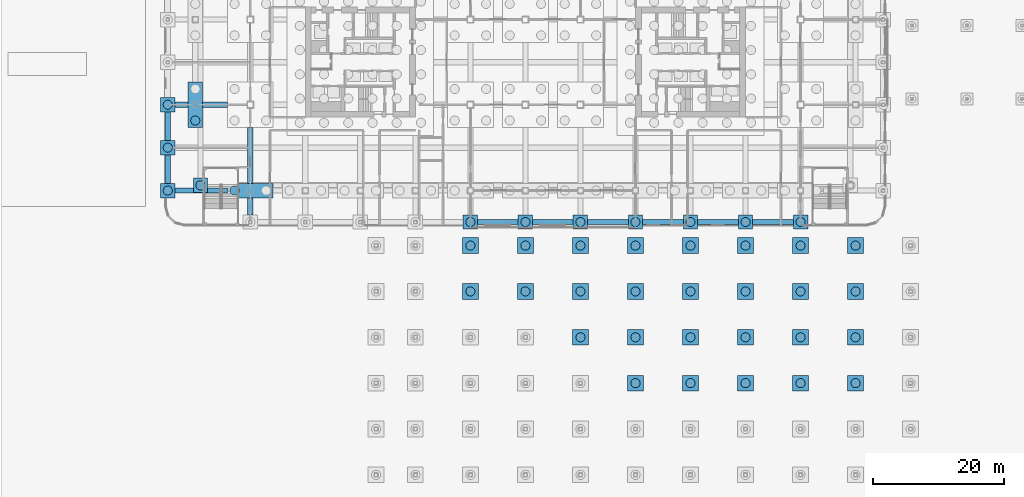
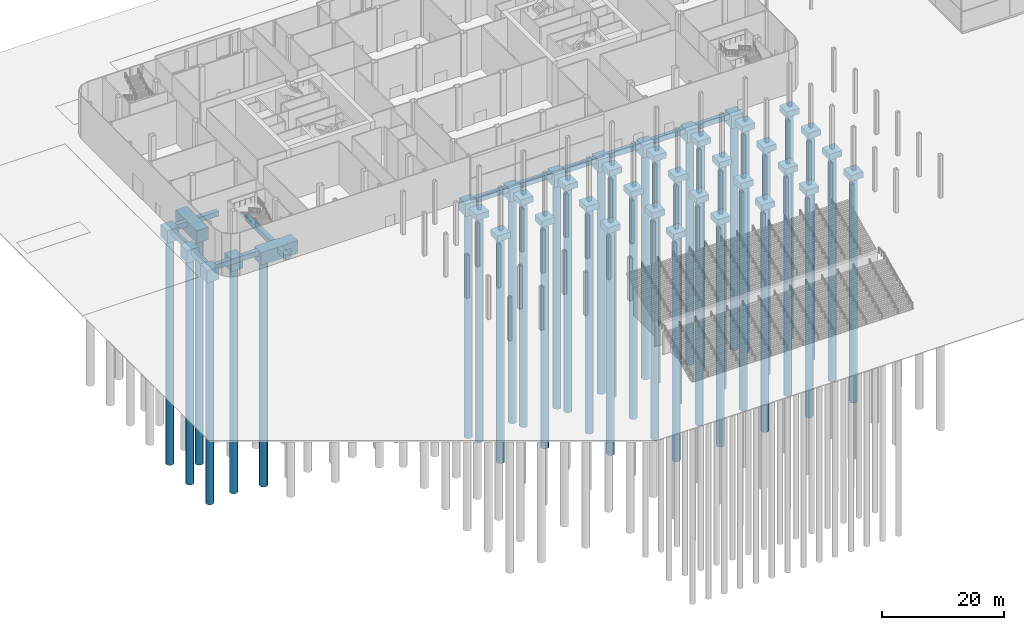
# One storey, part 2 of 113: 53 footings, 40 piles.
"""IFC4 building model written with IfcOpenShell, lengths in metres."""

from ifc_helpers import new_model, si_unit, direction, frame, origin, origin_2d, place, context, subcontext, project, spatial, polyline, circle, outline, extrude, material, layer, layer_set, material_profile, profile_set, type_object, element, save


model = new_model("IFC4")

# Units and contexts
model_context = context("Model", 3, precision=1e-05, world=origin(), true_north=direction((0.0, 1.0)))
body_context = subcontext(model_context, "Body", "Model", "MODEL_VIEW")
ifc_project = project(units=[si_unit("LENGTHUNIT", "METRE"), si_unit("AREAUNIT", "SQUARE_METRE"), si_unit("VOLUMEUNIT", "CUBIC_METRE"), si_unit("PLANEANGLEUNIT", "RADIAN"), si_unit("MASSUNIT", "GRAM", prefix="KILO")], contexts=[model_context])

# Site, building, storey
site_placement = place(None, origin())
site = spatial("IfcSite", under=ifc_project, at=site_placement, CompositionType="ELEMENT")
building_placement = place(site_placement, origin())
building = spatial("IfcBuilding", under=site, at=building_placement, Name="Hakoniwa Tower and Hamabe Station Hall", CompositionType="ELEMENT")
storey_placement = place(building_placement, origin())
storey = spatial("IfcBuildingStorey", under=building, at=storey_placement, Name="L01", CompositionType="ELEMENT", Elevation=0.0)

# Piles
ifc_material_1 = material(Name="Concrete C36", Category="concrete")
ifc_material_profile_1 = material_profile(ifc_material_1, circle(Radius=0.699951171875, at=origin_2d()), Name="BORED PILE D1400")
ifc_profile_set_1 = profile_set([ifc_material_profile_1], Name="Concrete C36")
pile_type_1 = type_object("IfcPileType", Name="BORED PILE D1400", PredefinedType="BORED", material=ifc_profile_set_1)
for number, where, z_axis, x_axis, name in (
    (1, (-49.60302734375, -18.802978515625, -2.800048828125), (0.0, 0.0, -1.0), (1.0, 0.0, 0.0), "Pile P-1-A1 1"),
    (2, (-50.39990234375, -8.89990234375, -2.800048828125), (0.0, 0.0, -1.0), (1.0, 0.0, 0.0), "Pile P-1-C1 1-1"),
    (3, (-44.39990234375, -19.60009765625, -2.800048828125), (0.0, 0.0, -1.0), (1.0, 0.0, 0.0), "Pile P-2-A1 1"),
    (4, (-8.39990234375, -24.39990234375, -2.800048828125), (0.0, 0.0, -1.0), (1.0, 0.0, 0.0), "Pile P-6-RS 1"),
    (5, (0.0, -24.39990234375, -2.800048828125), (0.0, 0.0, -1.0), (1.0, 0.0, 0.0), "Pile P-7-RS 1"),
    (6, (8.39990234375, -24.39990234375, -2.800048828125), (0.0, 0.0, -1.0), (1.0, 0.0, 0.0), "Pile P-8-RS 1"),
    (7, (16.800048828125, -24.39990234375, -2.800048828125), (0.0, 0.0, -1.0), (1.0, 0.0, 0.0), "Pile P-9-RS 1"),
    (8, (25.199951171875, -24.39990234375, -2.800048828125), (0.0, 0.0, -1.0), (1.0, 0.0, 0.0), "Pile P-10-RS 1"),
    (9, (33.60009765625, -24.39990234375, -2.800048828125), (0.0, 0.0, -1.0), (1.0, 0.0, 0.0), "Pile P-11-RS 1"),
    (10, (42.0, -24.39990234375, -2.800048828125), (0.0, 0.0, -1.0), (1.0, 0.0, 0.0), "Pile P-12-RS 1"),
    (11, (-54.60009765625, -19.60009765625, -2.800048828125), (0.0, 0.0, -1.0), (1.0, 0.0, 0.0), "Pile P-RW-A1 1"),
    (12, (-54.60009765625, -13.050048828125, -2.800048828125), (0.0, 0.0, -1.0), (1.0, 0.0, 0.0), "Pile P-RW-B1 1"),
    (13, (-54.60009765625, -6.5, -2.800048828125), (0.0, 0.0, -1.0), (1.0, 0.0, 0.0), "Pile P-RW-C1 1"),
):
    element("IfcPile", number, at=place(storey_placement, frame(where, z_axis=z_axis, x_axis=x_axis)), inside=storey, type_object=pile_type_1, Name=name, PredefinedType="BORED", context=body_context, shape_type="SweptSolid", body=[
        extrude(circle(Radius=0.699951171875, at=origin_2d()), origin(), (0.0, 0.0, 1.0), 45.0),
    ])
ifc_material_2 = material(Name="Concrete C36", Category="concrete")
ifc_material_profile_2 = material_profile(ifc_material_2, circle(Radius=0.699951171875, at=origin_2d()), Name="DECK BORED PILE D1400")
ifc_profile_set_2 = profile_set([ifc_material_profile_2], Name="Concrete C36")
pile_type_2 = type_object("IfcPileType", Name="DECK BORED PILE D1400", PredefinedType="BORED", material=ifc_profile_set_2)
for number, where, z_axis, x_axis, name in (
    (14, (-8.39990234375, -35.0, -1.35009765625), (0.0, 0.0, -1.0), (1.0, 0.0, 0.0), "Pile 17"),
    (15, (-8.39990234375, -28.0, -1.35009765625), (0.0, 0.0, -1.0), (1.0, 0.0, 0.0), "Pile 18"),
    (16, (0.0, -35.0, -1.35009765625), (0.0, 0.0, -1.0), (1.0, 0.0, 0.0), "Pile 23"),
    (17, (0.0, -28.0, -1.35009765625), (0.0, 0.0, -1.0), (1.0, 0.0, 0.0), "Pile 24"),
    (18, (8.39990234375, -42.0, -1.35009765625), (0.0, 0.0, -1.0), (1.0, 0.0, 0.0), "Pile 28"),
    (19, (8.39990234375, -35.0, -1.35009765625), (0.0, 0.0, -1.0), (1.0, 0.0, 0.0), "Pile 29"),
    (20, (8.39990234375, -28.0, -1.35009765625), (0.0, 0.0, -1.0), (1.0, 0.0, 0.0), "Pile 30"),
    (21, (16.800048828125, -49.0, -1.35009765625), (0.0, 0.0, -1.0), (1.0, 0.0, 0.0), "Pile 33"),
    (22, (16.800048828125, -42.0, -1.35009765625), (0.0, 0.0, -1.0), (1.0, 0.0, 0.0), "Pile 34"),
    (23, (16.800048828125, -35.0, -1.35009765625), (0.0, 0.0, -1.0), (1.0, 0.0, 0.0), "Pile 35"),
    (24, (16.800048828125, -28.0, -1.35009765625), (0.0, 0.0, -1.0), (1.0, 0.0, 0.0), "Pile 36"),
    (25, (25.199951171875, -49.0, -1.35009765625), (0.0, 0.0, -1.0), (1.0, 0.0, 0.0), "Pile 39"),
    (26, (25.199951171875, -42.0, -1.35009765625), (0.0, 0.0, -1.0), (1.0, 0.0, 0.0), "Pile 40"),
    (27, (25.199951171875, -35.0, -1.35009765625), (0.0, 0.0, -1.0), (1.0, 0.0, 0.0), "Pile 41"),
    (28, (25.199951171875, -28.0, -1.35009765625), (0.0, 0.0, -1.0), (1.0, 0.0, 0.0), "Pile 42"),
    (29, (33.60009765625, -49.0, -1.35009765625), (0.0, 0.0, -1.0), (1.0, 0.0, 0.0), "Pile 45"),
    (30, (33.60009765625, -42.0, -1.35009765625), (0.0, 0.0, -1.0), (1.0, 0.0, 0.0), "Pile 46"),
    (31, (33.60009765625, -35.0, -1.35009765625), (0.0, 0.0, -1.0), (1.0, 0.0, 0.0), "Pile 47"),
    (32, (33.60009765625, -28.0, -1.35009765625), (0.0, 0.0, -1.0), (1.0, 0.0, 0.0), "Pile 48"),
    (33, (42.0, -49.0, -1.35009765625), (0.0, 0.0, -1.0), (1.0, 0.0, 0.0), "Pile 51"),
    (34, (42.0, -42.0, -1.35009765625), (0.0, 0.0, -1.0), (1.0, 0.0, 0.0), "Pile 52"),
    (35, (42.0, -35.0, -1.35009765625), (0.0, 0.0, -1.0), (1.0, 0.0, 0.0), "Pile 53"),
    (36, (42.0, -28.0, -1.35009765625), (0.0, 0.0, -1.0), (1.0, 0.0, 0.0), "Pile 54"),
    (37, (50.39990234375, -49.0, -1.35009765625), (0.0, 0.0, -1.0), (1.0, 0.0, 0.0), "Pile 57"),
    (38, (50.39990234375, -42.0, -1.35009765625), (0.0, 0.0, -1.0), (1.0, 0.0, 0.0), "Pile 58"),
    (39, (50.39990234375, -35.0, -1.35009765625), (0.0, 0.0, -1.0), (1.0, 0.0, 0.0), "Pile 59"),
    (40, (50.39990234375, -28.0, -1.35009765625), (0.0, 0.0, -1.0), (1.0, 0.0, 0.0), "Pile 60"),
):
    element("IfcPile", number, at=place(storey_placement, frame(where, z_axis=z_axis, x_axis=x_axis)), inside=storey, type_object=pile_type_2, Name=name, PredefinedType="BORED", context=body_context, shape_type="SweptSolid", body=[
        extrude(circle(Radius=0.699951171875, at=origin_2d()), origin(), (0.0, 0.0, 1.0), 45.0),
    ])

# Footings
ifc_material_3 = material(Name="Concrete C36", Category="concrete")
ifc_layer_1 = layer(ifc_material_3, 1.199951171875)
ifc_layer_set_1 = layer_set([ifc_layer_1], Name="DECK PILE CAP 2400X2400X1200")
footing_type_1 = type_object("IfcFootingType", Name="DECK PILE CAP 2400X2400X1200", PredefinedType="PILE_CAP", material=ifc_layer_set_1)
footing_1_placement = place(storey_placement, frame((0.0, 0.0, -1.35009765625)))
element("IfcFooting", 41, at=footing_1_placement, inside=storey, type_object=footing_type_1, Name="Pile cap 17", PredefinedType="PILE_CAP", context=body_context, shape_type="SweptSolid", body=[
    extrude(outline(polyline([(-9.60009765625, -36.199951171875), (-7.199951171875, -36.199951171875), (-7.199951171875, -33.800048828125), (-9.60009765625, -33.800048828125), (-9.60009765625, -36.199951171875)])), origin(), (0.0, 0.0, 1.0), 1.2001953125),
])
footing_2_placement = place(storey_placement, frame((0.0, 0.0, -1.35009765625)))
element("IfcFooting", 42, at=footing_2_placement, inside=storey, type_object=footing_type_1, Name="Pile cap 18", PredefinedType="PILE_CAP", context=body_context, shape_type="SweptSolid", body=[
    extrude(outline(polyline([(-9.60009765625, -29.199951171875), (-7.199951171875, -29.199951171875), (-7.199951171875, -26.800048828125), (-9.60009765625, -26.800048828125), (-9.60009765625, -29.199951171875)])), origin(), (0.0, 0.0, 1.0), 1.2001953125),
])
footing_3_placement = place(storey_placement, frame((0.0, 0.0, -1.35009765625)))
element("IfcFooting", 43, at=footing_3_placement, inside=storey, type_object=footing_type_1, Name="Pile cap 23", PredefinedType="PILE_CAP", context=body_context, shape_type="SweptSolid", body=[
    extrude(outline(polyline([(-1.199951171875, -36.199951171875), (1.199951171875, -36.199951171875), (1.199951171875, -33.800048828125), (-1.199951171875, -33.800048828125), (-1.199951171875, -36.199951171875)])), origin(), (0.0, 0.0, 1.0), 1.2001953125),
])
footing_4_placement = place(storey_placement, frame((0.0, 0.0, -1.35009765625)))
element("IfcFooting", 44, at=footing_4_placement, inside=storey, type_object=footing_type_1, Name="Pile cap 24", PredefinedType="PILE_CAP", context=body_context, shape_type="SweptSolid", body=[
    extrude(outline(polyline([(-1.199951171875, -29.199951171875), (1.199951171875, -29.199951171875), (1.199951171875, -26.800048828125), (-1.199951171875, -26.800048828125), (-1.199951171875, -29.199951171875)])), origin(), (0.0, 0.0, 1.0), 1.2001953125),
])
footing_5_placement = place(storey_placement, frame((0.0, 0.0, -1.35009765625)))
element("IfcFooting", 45, at=footing_5_placement, inside=storey, type_object=footing_type_1, Name="Pile cap 28", PredefinedType="PILE_CAP", context=body_context, shape_type="SweptSolid", body=[
    extrude(outline(polyline([(7.199951171875, -43.199951171875), (9.60009765625, -43.199951171875), (9.60009765625, -40.800048828125), (7.199951171875, -40.800048828125), (7.199951171875, -43.199951171875)])), origin(), (0.0, 0.0, 1.0), 1.2001953125),
])
footing_6_placement = place(storey_placement, frame((0.0, 0.0, -1.35009765625)))
element("IfcFooting", 46, at=footing_6_placement, inside=storey, type_object=footing_type_1, Name="Pile cap 29", PredefinedType="PILE_CAP", context=body_context, shape_type="SweptSolid", body=[
    extrude(outline(polyline([(7.199951171875, -36.199951171875), (9.60009765625, -36.199951171875), (9.60009765625, -33.800048828125), (7.199951171875, -33.800048828125), (7.199951171875, -36.199951171875)])), origin(), (0.0, 0.0, 1.0), 1.2001953125),
])
footing_7_placement = place(storey_placement, frame((0.0, 0.0, -1.35009765625)))
element("IfcFooting", 47, at=footing_7_placement, inside=storey, type_object=footing_type_1, Name="Pile cap 30", PredefinedType="PILE_CAP", context=body_context, shape_type="SweptSolid", body=[
    extrude(outline(polyline([(7.199951171875, -29.199951171875), (9.60009765625, -29.199951171875), (9.60009765625, -26.800048828125), (7.199951171875, -26.800048828125), (7.199951171875, -29.199951171875)])), origin(), (0.0, 0.0, 1.0), 1.2001953125),
])
footing_8_placement = place(storey_placement, frame((0.0, 0.0, -1.35009765625)))
element("IfcFooting", 48, at=footing_8_placement, inside=storey, type_object=footing_type_1, Name="Pile cap 33", PredefinedType="PILE_CAP", context=body_context, shape_type="SweptSolid", body=[
    extrude(outline(polyline([(15.60009765625, -50.199951171875), (18.0, -50.199951171875), (18.0, -47.800048828125), (15.60009765625, -47.800048828125), (15.60009765625, -50.199951171875)])), origin(), (0.0, 0.0, 1.0), 1.2001953125),
])
footing_9_placement = place(storey_placement, frame((0.0, 0.0, -1.35009765625)))
element("IfcFooting", 49, at=footing_9_placement, inside=storey, type_object=footing_type_1, Name="Pile cap 34", PredefinedType="PILE_CAP", context=body_context, shape_type="SweptSolid", body=[
    extrude(outline(polyline([(15.60009765625, -43.199951171875), (18.0, -43.199951171875), (18.0, -40.800048828125), (15.60009765625, -40.800048828125), (15.60009765625, -43.199951171875)])), origin(), (0.0, 0.0, 1.0), 1.2001953125),
])
footing_10_placement = place(storey_placement, frame((0.0, 0.0, -1.35009765625)))
element("IfcFooting", 50, at=footing_10_placement, inside=storey, type_object=footing_type_1, Name="Pile cap 35", PredefinedType="PILE_CAP", context=body_context, shape_type="SweptSolid", body=[
    extrude(outline(polyline([(15.60009765625, -36.199951171875), (18.0, -36.199951171875), (18.0, -33.800048828125), (15.60009765625, -33.800048828125), (15.60009765625, -36.199951171875)])), origin(), (0.0, 0.0, 1.0), 1.2001953125),
])
footing_11_placement = place(storey_placement, frame((0.0, 0.0, -1.35009765625)))
element("IfcFooting", 51, at=footing_11_placement, inside=storey, type_object=footing_type_1, Name="Pile cap 36", PredefinedType="PILE_CAP", context=body_context, shape_type="SweptSolid", body=[
    extrude(outline(polyline([(15.60009765625, -29.199951171875), (18.0, -29.199951171875), (18.0, -26.800048828125), (15.60009765625, -26.800048828125), (15.60009765625, -29.199951171875)])), origin(), (0.0, 0.0, 1.0), 1.2001953125),
])
footing_12_placement = place(storey_placement, frame((0.0, 0.0, -1.35009765625)))
element("IfcFooting", 52, at=footing_12_placement, inside=storey, type_object=footing_type_1, Name="Pile cap 39", PredefinedType="PILE_CAP", context=body_context, shape_type="SweptSolid", body=[
    extrude(outline(polyline([(24.0, -50.199951171875), (26.39990234375, -50.199951171875), (26.39990234375, -47.800048828125), (24.0, -47.800048828125), (24.0, -50.199951171875)])), origin(), (0.0, 0.0, 1.0), 1.2001953125),
])
footing_13_placement = place(storey_placement, frame((0.0, 0.0, -1.35009765625)))
element("IfcFooting", 53, at=footing_13_placement, inside=storey, type_object=footing_type_1, Name="Pile cap 40", PredefinedType="PILE_CAP", context=body_context, shape_type="SweptSolid", body=[
    extrude(outline(polyline([(24.0, -43.199951171875), (26.39990234375, -43.199951171875), (26.39990234375, -40.800048828125), (24.0, -40.800048828125), (24.0, -43.199951171875)])), origin(), (0.0, 0.0, 1.0), 1.2001953125),
])
footing_14_placement = place(storey_placement, frame((0.0, 0.0, -1.35009765625)))
element("IfcFooting", 54, at=footing_14_placement, inside=storey, type_object=footing_type_1, Name="Pile cap 41", PredefinedType="PILE_CAP", context=body_context, shape_type="SweptSolid", body=[
    extrude(outline(polyline([(24.0, -36.199951171875), (26.39990234375, -36.199951171875), (26.39990234375, -33.800048828125), (24.0, -33.800048828125), (24.0, -36.199951171875)])), origin(), (0.0, 0.0, 1.0), 1.2001953125),
])
footing_15_placement = place(storey_placement, frame((0.0, 0.0, -1.35009765625)))
element("IfcFooting", 55, at=footing_15_placement, inside=storey, type_object=footing_type_1, Name="Pile cap 42", PredefinedType="PILE_CAP", context=body_context, shape_type="SweptSolid", body=[
    extrude(outline(polyline([(24.0, -29.199951171875), (26.39990234375, -29.199951171875), (26.39990234375, -26.800048828125), (24.0, -26.800048828125), (24.0, -29.199951171875)])), origin(), (0.0, 0.0, 1.0), 1.2001953125),
])
footing_16_placement = place(storey_placement, frame((0.0, 0.0, -1.35009765625)))
element("IfcFooting", 56, at=footing_16_placement, inside=storey, type_object=footing_type_1, Name="Pile cap 45", PredefinedType="PILE_CAP", context=body_context, shape_type="SweptSolid", body=[
    extrude(outline(polyline([(32.39990234375, -50.199951171875), (34.800048828125, -50.199951171875), (34.800048828125, -47.800048828125), (32.39990234375, -47.800048828125), (32.39990234375, -50.199951171875)])), origin(), (0.0, 0.0, 1.0), 1.2001953125),
])
footing_17_placement = place(storey_placement, frame((0.0, 0.0, -1.35009765625)))
element("IfcFooting", 57, at=footing_17_placement, inside=storey, type_object=footing_type_1, Name="Pile cap 46", PredefinedType="PILE_CAP", context=body_context, shape_type="SweptSolid", body=[
    extrude(outline(polyline([(32.39990234375, -43.199951171875), (34.800048828125, -43.199951171875), (34.800048828125, -40.800048828125), (32.39990234375, -40.800048828125), (32.39990234375, -43.199951171875)])), origin(), (0.0, 0.0, 1.0), 1.2001953125),
])
footing_18_placement = place(storey_placement, frame((0.0, 0.0, -1.35009765625)))
element("IfcFooting", 58, at=footing_18_placement, inside=storey, type_object=footing_type_1, Name="Pile cap 47", PredefinedType="PILE_CAP", context=body_context, shape_type="SweptSolid", body=[
    extrude(outline(polyline([(32.39990234375, -36.199951171875), (34.800048828125, -36.199951171875), (34.800048828125, -33.800048828125), (32.39990234375, -33.800048828125), (32.39990234375, -36.199951171875)])), origin(), (0.0, 0.0, 1.0), 1.2001953125),
])
footing_19_placement = place(storey_placement, frame((0.0, 0.0, -1.35009765625)))
element("IfcFooting", 59, at=footing_19_placement, inside=storey, type_object=footing_type_1, Name="Pile cap 48", PredefinedType="PILE_CAP", context=body_context, shape_type="SweptSolid", body=[
    extrude(outline(polyline([(32.39990234375, -29.199951171875), (34.800048828125, -29.199951171875), (34.800048828125, -26.800048828125), (32.39990234375, -26.800048828125), (32.39990234375, -29.199951171875)])), origin(), (0.0, 0.0, 1.0), 1.2001953125),
])
footing_20_placement = place(storey_placement, frame((0.0, 0.0, -1.35009765625)))
element("IfcFooting", 60, at=footing_20_placement, inside=storey, type_object=footing_type_1, Name="Pile cap 51", PredefinedType="PILE_CAP", context=body_context, shape_type="SweptSolid", body=[
    extrude(outline(polyline([(40.800048828125, -50.199951171875), (43.199951171875, -50.199951171875), (43.199951171875, -47.800048828125), (40.800048828125, -47.800048828125), (40.800048828125, -50.199951171875)])), origin(), (0.0, 0.0, 1.0), 1.2001953125),
])
footing_21_placement = place(storey_placement, frame((0.0, 0.0, -1.35009765625)))
element("IfcFooting", 61, at=footing_21_placement, inside=storey, type_object=footing_type_1, Name="Pile cap 52", PredefinedType="PILE_CAP", context=body_context, shape_type="SweptSolid", body=[
    extrude(outline(polyline([(40.800048828125, -43.199951171875), (43.199951171875, -43.199951171875), (43.199951171875, -40.800048828125), (40.800048828125, -40.800048828125), (40.800048828125, -43.199951171875)])), origin(), (0.0, 0.0, 1.0), 1.2001953125),
])
footing_22_placement = place(storey_placement, frame((0.0, 0.0, -1.35009765625)))
element("IfcFooting", 62, at=footing_22_placement, inside=storey, type_object=footing_type_1, Name="Pile cap 53", PredefinedType="PILE_CAP", context=body_context, shape_type="SweptSolid", body=[
    extrude(outline(polyline([(40.800048828125, -36.199951171875), (43.199951171875, -36.199951171875), (43.199951171875, -33.800048828125), (40.800048828125, -33.800048828125), (40.800048828125, -36.199951171875)])), origin(), (0.0, 0.0, 1.0), 1.2001953125),
])
footing_23_placement = place(storey_placement, frame((0.0, 0.0, -1.35009765625)))
element("IfcFooting", 63, at=footing_23_placement, inside=storey, type_object=footing_type_1, Name="Pile cap 54", PredefinedType="PILE_CAP", context=body_context, shape_type="SweptSolid", body=[
    extrude(outline(polyline([(40.800048828125, -29.199951171875), (43.199951171875, -29.199951171875), (43.199951171875, -26.800048828125), (40.800048828125, -26.800048828125), (40.800048828125, -29.199951171875)])), origin(), (0.0, 0.0, 1.0), 1.2001953125),
])
footing_24_placement = place(storey_placement, frame((0.0, 0.0, -1.35009765625)))
element("IfcFooting", 64, at=footing_24_placement, inside=storey, type_object=footing_type_1, Name="Pile cap 57", PredefinedType="PILE_CAP", context=body_context, shape_type="SweptSolid", body=[
    extrude(outline(polyline([(49.199951171875, -50.199951171875), (51.60009765625, -50.199951171875), (51.60009765625, -47.800048828125), (49.199951171875, -47.800048828125), (49.199951171875, -50.199951171875)])), origin(), (0.0, 0.0, 1.0), 1.2001953125),
])
footing_25_placement = place(storey_placement, frame((0.0, 0.0, -1.35009765625)))
element("IfcFooting", 65, at=footing_25_placement, inside=storey, type_object=footing_type_1, Name="Pile cap 58", PredefinedType="PILE_CAP", context=body_context, shape_type="SweptSolid", body=[
    extrude(outline(polyline([(49.199951171875, -43.199951171875), (51.60009765625, -43.199951171875), (51.60009765625, -40.800048828125), (49.199951171875, -40.800048828125), (49.199951171875, -43.199951171875)])), origin(), (0.0, 0.0, 1.0), 1.2001953125),
])
footing_26_placement = place(storey_placement, frame((0.0, 0.0, -1.35009765625)))
element("IfcFooting", 66, at=footing_26_placement, inside=storey, type_object=footing_type_1, Name="Pile cap 59", PredefinedType="PILE_CAP", context=body_context, shape_type="SweptSolid", body=[
    extrude(outline(polyline([(49.199951171875, -36.199951171875), (51.60009765625, -36.199951171875), (51.60009765625, -33.800048828125), (49.199951171875, -33.800048828125), (49.199951171875, -36.199951171875)])), origin(), (0.0, 0.0, 1.0), 1.2001953125),
])
footing_27_placement = place(storey_placement, frame((0.0, 0.0, -1.35009765625)))
element("IfcFooting", 67, at=footing_27_placement, inside=storey, type_object=footing_type_1, Name="Pile cap 60", PredefinedType="PILE_CAP", context=body_context, shape_type="SweptSolid", body=[
    extrude(outline(polyline([(49.199951171875, -29.199951171875), (51.60009765625, -29.199951171875), (51.60009765625, -26.800048828125), (49.199951171875, -26.800048828125), (49.199951171875, -29.199951171875)])), origin(), (0.0, 0.0, 1.0), 1.2001953125),
])
ifc_material_4 = material(Name="Concrete C36", Category="concrete")
ifc_layer_2 = layer(ifc_material_4, 1.0)
ifc_layer_set_2 = layer_set([ifc_layer_2], Name="GROUND TIE BEAM")
footing_type_2 = type_object("IfcFootingType", Name="GROUND TIE BEAM", PredefinedType="FOOTING_BEAM", material=ifc_layer_set_2)
footing_28_placement = place(storey_placement, frame((0.0, 0.0, -1.300048828125)))
element("IfcFooting", 68, at=footing_28_placement, inside=storey, type_object=footing_type_2, Name="Ground tie P-6-RS to P-7-RS", PredefinedType="FOOTING_BEAM", context=body_context, shape_type="SweptSolid", body=[
    extrude(outline(polyline([(-7.300048828125, -24.0), (-7.300048828125, -24.800048828125), (-1.10009765625, -24.800048828125), (-1.10009765625, -24.0), (-7.300048828125, -24.0)])), origin(), (0.0, 0.0, 1.0), 1.0),
])
footing_29_placement = place(storey_placement, frame((0.0, 0.0, -1.300048828125)))
element("IfcFooting", 69, at=footing_29_placement, inside=storey, type_object=footing_type_2, Name="Ground tie P-7-RS to P-8-RS", PredefinedType="FOOTING_BEAM", context=body_context, shape_type="SweptSolid", body=[
    extrude(outline(polyline([(1.10009765625, -24.0), (1.10009765625, -24.800048828125), (7.300048828125, -24.800048828125), (7.300048828125, -24.0), (1.10009765625, -24.0)])), origin(), (0.0, 0.0, 1.0), 1.0),
])
footing_30_placement = place(storey_placement, frame((0.0, 0.0, -1.300048828125)))
element("IfcFooting", 70, at=footing_30_placement, inside=storey, type_object=footing_type_2, Name="Ground tie P-8-RS to P-9-RS", PredefinedType="FOOTING_BEAM", context=body_context, shape_type="SweptSolid", body=[
    extrude(outline(polyline([(9.5, -24.0), (9.5, -24.800048828125), (15.699951171875, -24.800048828125), (15.699951171875, -24.0), (9.5, -24.0)])), origin(), (0.0, 0.0, 1.0), 1.0),
])
footing_31_placement = place(storey_placement, frame((0.0, 0.0, -1.300048828125)))
element("IfcFooting", 71, at=footing_31_placement, inside=storey, type_object=footing_type_2, Name="Ground tie P-9-RS to P-10-RS", PredefinedType="FOOTING_BEAM", context=body_context, shape_type="SweptSolid", body=[
    extrude(outline(polyline([(17.89990234375, -24.0), (17.89990234375, -24.800048828125), (24.10009765625, -24.800048828125), (24.10009765625, -24.0), (17.89990234375, -24.0)])), origin(), (0.0, 0.0, 1.0), 1.0),
])
footing_32_placement = place(storey_placement, frame((0.0, 0.0, -1.300048828125)))
element("IfcFooting", 72, at=footing_32_placement, inside=storey, type_object=footing_type_2, Name="Ground tie P-10-RS to P-11-RS", PredefinedType="FOOTING_BEAM", context=body_context, shape_type="SweptSolid", body=[
    extrude(outline(polyline([(26.300048828125, -24.0), (26.300048828125, -24.800048828125), (32.5, -24.800048828125), (32.5, -24.0), (26.300048828125, -24.0)])), origin(), (0.0, 0.0, 1.0), 1.0),
])
footing_33_placement = place(storey_placement, frame((0.0, 0.0, -1.300048828125)))
element("IfcFooting", 73, at=footing_33_placement, inside=storey, type_object=footing_type_2, Name="Ground tie P-11-RS to P-12-RS", PredefinedType="FOOTING_BEAM", context=body_context, shape_type="SweptSolid", body=[
    extrude(outline(polyline([(34.699951171875, -24.0), (34.699951171875, -24.800048828125), (40.89990234375, -24.800048828125), (40.89990234375, -24.0), (34.699951171875, -24.0)])), origin(), (0.0, 0.0, 1.0), 1.0),
])
footing_34_placement = place(storey_placement, frame((0.0, 0.0, -1.300048828125)))
element("IfcFooting", 74, at=footing_34_placement, inside=storey, type_object=footing_type_2, Name="Ground tie P-RW-A1 to P-2-A1", PredefinedType="FOOTING_BEAM", context=body_context, shape_type="SweptSolid", body=[
    extrude(outline(polyline([(-48.503173828125, -19.199951171875), (-48.503173828125, -19.903076171875), (-50.703125, -19.903076171875), (-50.703125, -19.199951171875), (-53.5, -19.199951171875), (-53.5, -20.0), (-45.5, -20.0), (-45.5, -19.199951171875), (-48.503173828125, -19.199951171875)])), origin(), (0.0, 0.0, 1.0), 1.0),
])
footing_35_placement = place(storey_placement, frame((0.0, 0.0, -1.300048828125)))
element("IfcFooting", 75, at=footing_35_placement, inside=storey, type_object=footing_type_2, Name="Ground tie P-RW-C1 to P-1-C1", PredefinedType="FOOTING_BEAM", context=body_context, shape_type="SweptSolid", body=[
    extrude(outline(polyline([(-53.5, -6.10009765625), (-53.5, -6.89990234375), (-51.5, -6.89990234375), (-51.5, -6.10009765625), (-53.5, -6.10009765625)])), origin(), (0.0, 0.0, 1.0), 1.0),
])
footing_36_placement = place(storey_placement, frame((0.0, 0.0, -1.300048828125)))
element("IfcFooting", 76, at=footing_36_placement, inside=storey, type_object=footing_type_2, Name="Ground tie P-1-C1 to P-2-C1", PredefinedType="FOOTING_BEAM", context=body_context, shape_type="SweptSolid", body=[
    extrude(outline(polyline([(-49.300048828125, -6.10009765625), (-49.300048828125, -6.89990234375), (-45.5, -6.89990234375), (-45.5, -6.10009765625), (-49.300048828125, -6.10009765625)])), origin(), (0.0, 0.0, 1.0), 1.0),
])
footing_37_placement = place(storey_placement, frame((0.0, 0.0, -1.300048828125)))
element("IfcFooting", 77, at=footing_37_placement, inside=storey, type_object=footing_type_2, Name="Ground tie P-RW-A1 to P-RW-B1 1", PredefinedType="FOOTING_BEAM", context=body_context, shape_type="SweptSolid", body=[
    extrude(outline(polyline([(-55.0, -14.14990234375), (-55.0, -18.5), (-54.199951171875, -18.5), (-54.199951171875, -14.14990234375), (-55.0, -14.14990234375)])), origin(), (0.0, 0.0, 1.0), 1.0),
])
footing_38_placement = place(storey_placement, frame((0.0, 0.0, -1.300048828125)))
element("IfcFooting", 78, at=footing_38_placement, inside=storey, type_object=footing_type_2, Name="Ground tie P-RW-B1 to P-RW-C1 1", PredefinedType="FOOTING_BEAM", context=body_context, shape_type="SweptSolid", body=[
    extrude(outline(polyline([(-55.0, -7.60009765625), (-55.0, -11.949951171875), (-54.199951171875, -11.949951171875), (-54.199951171875, -7.60009765625), (-55.0, -7.60009765625)])), origin(), (0.0, 0.0, 1.0), 1.0),
])
footing_39_placement = place(storey_placement, frame((0.0, 0.0, -1.300048828125)))
element("IfcFooting", 79, at=footing_39_placement, inside=storey, type_object=footing_type_2, Name="Ground tie P-2-RS to P-2-A1 1", PredefinedType="FOOTING_BEAM", context=body_context, shape_type="SweptSolid", body=[
    extrude(outline(polyline([(-42.39990234375, -20.699951171875), (-42.39990234375, -23.300048828125), (-41.60009765625, -23.300048828125), (-41.60009765625, -20.699951171875), (-42.39990234375, -20.699951171875)])), origin(), (0.0, 0.0, 1.0), 1.0),
])
footing_40_placement = place(storey_placement, frame((0.0, 0.0, -1.300048828125)))
element("IfcFooting", 80, at=footing_40_placement, inside=storey, type_object=footing_type_2, Name="Ground tie P-2-A1 to P-2-C1 1", PredefinedType="FOOTING_BEAM", context=body_context, shape_type="SweptSolid", body=[
    extrude(outline(polyline([(-42.39990234375, -10.0), (-42.39990234375, -18.5), (-41.60009765625, -18.5), (-41.60009765625, -10.0), (-42.39990234375, -10.0)])), origin(), (0.0, 0.0, 1.0), 1.0),
])
ifc_material_5 = material(Name="Concrete C36", Category="concrete")
ifc_layer_3 = layer(ifc_material_5, 2.5)
ifc_layer_set_3 = layer_set([ifc_layer_3], Name="PILE CAP 1 PILE")
footing_type_3 = type_object("IfcFootingType", Name="PILE CAP 1 PILE", PredefinedType="PILE_CAP", material=ifc_layer_set_3)
footing_41_placement = place(storey_placement, frame((0.0, 0.0, -2.800048828125)))
element("IfcFooting", 81, at=footing_41_placement, inside=storey, type_object=footing_type_3, Name="Pile cap P-1-A1", PredefinedType="PILE_CAP", context=body_context, shape_type="SweptSolid", body=[
    extrude(outline(polyline([(-48.503173828125, -19.903076171875), (-48.503173828125, -17.703125), (-50.703125, -17.703125), (-50.703125, -19.903076171875), (-48.503173828125, -19.903076171875)])), origin(), (0.0, 0.0, 1.0), 2.5),
])
footing_42_placement = place(storey_placement, frame((0.0, 0.0, -2.800048828125)))
element("IfcFooting", 82, at=footing_42_placement, inside=storey, type_object=footing_type_3, Name="Pile cap P-6-RS", PredefinedType="PILE_CAP", context=body_context, shape_type="SweptSolid", body=[
    extrude(outline(polyline([(-7.300048828125, -25.5), (-7.300048828125, -23.300048828125), (-9.5, -23.300048828125), (-9.5, -25.5), (-7.300048828125, -25.5)])), origin(), (0.0, 0.0, 1.0), 2.5),
])
footing_43_placement = place(storey_placement, frame((0.0, 0.0, -2.800048828125)))
element("IfcFooting", 83, at=footing_43_placement, inside=storey, type_object=footing_type_3, Name="Pile cap P-7-RS", PredefinedType="PILE_CAP", context=body_context, shape_type="SweptSolid", body=[
    extrude(outline(polyline([(1.10009765625, -25.5), (1.10009765625, -23.300048828125), (-1.10009765625, -23.300048828125), (-1.10009765625, -25.5), (1.10009765625, -25.5)])), origin(), (0.0, 0.0, 1.0), 2.5),
])
footing_44_placement = place(storey_placement, frame((0.0, 0.0, -2.800048828125)))
element("IfcFooting", 84, at=footing_44_placement, inside=storey, type_object=footing_type_3, Name="Pile cap P-8-RS", PredefinedType="PILE_CAP", context=body_context, shape_type="SweptSolid", body=[
    extrude(outline(polyline([(9.5, -25.5), (9.5, -23.300048828125), (7.300048828125, -23.300048828125), (7.300048828125, -25.5), (9.5, -25.5)])), origin(), (0.0, 0.0, 1.0), 2.5),
])
footing_45_placement = place(storey_placement, frame((0.0, 0.0, -2.800048828125)))
element("IfcFooting", 85, at=footing_45_placement, inside=storey, type_object=footing_type_3, Name="Pile cap P-9-RS", PredefinedType="PILE_CAP", context=body_context, shape_type="SweptSolid", body=[
    extrude(outline(polyline([(17.89990234375, -25.5), (17.89990234375, -23.300048828125), (15.699951171875, -23.300048828125), (15.699951171875, -25.5), (17.89990234375, -25.5)])), origin(), (0.0, 0.0, 1.0), 2.5),
])
footing_46_placement = place(storey_placement, frame((0.0, 0.0, -2.800048828125)))
element("IfcFooting", 86, at=footing_46_placement, inside=storey, type_object=footing_type_3, Name="Pile cap P-10-RS", PredefinedType="PILE_CAP", context=body_context, shape_type="SweptSolid", body=[
    extrude(outline(polyline([(26.300048828125, -25.5), (26.300048828125, -23.300048828125), (24.10009765625, -23.300048828125), (24.10009765625, -25.5), (26.300048828125, -25.5)])), origin(), (0.0, 0.0, 1.0), 2.5),
])
footing_47_placement = place(storey_placement, frame((0.0, 0.0, -2.800048828125)))
element("IfcFooting", 87, at=footing_47_placement, inside=storey, type_object=footing_type_3, Name="Pile cap P-11-RS", PredefinedType="PILE_CAP", context=body_context, shape_type="SweptSolid", body=[
    extrude(outline(polyline([(34.699951171875, -25.5), (34.699951171875, -23.300048828125), (32.5, -23.300048828125), (32.5, -25.5), (34.699951171875, -25.5)])), origin(), (0.0, 0.0, 1.0), 2.5),
])
footing_48_placement = place(storey_placement, frame((0.0, 0.0, -2.800048828125)))
element("IfcFooting", 88, at=footing_48_placement, inside=storey, type_object=footing_type_3, Name="Pile cap P-12-RS", PredefinedType="PILE_CAP", context=body_context, shape_type="SweptSolid", body=[
    extrude(outline(polyline([(43.10009765625, -25.5), (43.10009765625, -23.300048828125), (40.89990234375, -23.300048828125), (40.89990234375, -25.5), (43.10009765625, -25.5)])), origin(), (0.0, 0.0, 1.0), 2.5),
])
footing_49_placement = place(storey_placement, frame((0.0, 0.0, -2.800048828125)))
element("IfcFooting", 89, at=footing_49_placement, inside=storey, type_object=footing_type_3, Name="Pile cap P-RW-A1", PredefinedType="PILE_CAP", context=body_context, shape_type="SweptSolid", body=[
    extrude(outline(polyline([(-53.5, -20.699951171875), (-53.5, -18.5), (-55.699951171875, -18.5), (-55.699951171875, -20.699951171875), (-53.5, -20.699951171875)])), origin(), (0.0, 0.0, 1.0), 2.5),
])
footing_50_placement = place(storey_placement, frame((0.0, 0.0, -2.800048828125)))
element("IfcFooting", 90, at=footing_50_placement, inside=storey, type_object=footing_type_3, Name="Pile cap P-RW-B1", PredefinedType="PILE_CAP", context=body_context, shape_type="SweptSolid", body=[
    extrude(outline(polyline([(-53.5, -14.14990234375), (-53.5, -11.949951171875), (-55.699951171875, -11.949951171875), (-55.699951171875, -14.14990234375), (-53.5, -14.14990234375)])), origin(), (0.0, 0.0, 1.0), 2.5),
])
footing_51_placement = place(storey_placement, frame((0.0, 0.0, -2.800048828125)))
element("IfcFooting", 91, at=footing_51_placement, inside=storey, type_object=footing_type_3, Name="Pile cap P-RW-C1", PredefinedType="PILE_CAP", context=body_context, shape_type="SweptSolid", body=[
    extrude(outline(polyline([(-53.5, -7.60009765625), (-53.5, -5.39990234375), (-55.699951171875, -5.39990234375), (-55.699951171875, -7.60009765625), (-53.5, -7.60009765625)])), origin(), (0.0, 0.0, 1.0), 2.5),
])
ifc_material_6 = material(Name="Concrete C36", Category="concrete")
ifc_layer_4 = layer(ifc_material_6, 2.5)
ifc_layer_set_4 = layer_set([ifc_layer_4], Name="PILE CAP 2 PILES")
footing_type_4 = type_object("IfcFootingType", Name="PILE CAP 2 PILES", PredefinedType="PILE_CAP", material=ifc_layer_set_4)
footing_52_placement = place(storey_placement, frame((0.0, 0.0, -2.800048828125)))
element("IfcFooting", 92, at=footing_52_placement, inside=storey, type_object=footing_type_4, Name="Pile cap P-1-C1", PredefinedType="PILE_CAP", context=body_context, shape_type="SweptSolid", body=[
    extrude(outline(polyline([(-49.300048828125, -10.0), (-49.300048828125, -3.0), (-51.5, -3.0), (-51.5, -10.0), (-49.300048828125, -10.0)])), origin(), (0.0, 0.0, 1.0), 2.5),
])
footing_53_placement = place(storey_placement, frame((0.0, 0.0, -2.800048828125)))
element("IfcFooting", 93, at=footing_53_placement, inside=storey, type_object=footing_type_4, Name="Pile cap P-2-A1", PredefinedType="PILE_CAP", context=body_context, shape_type="SweptSolid", body=[
    extrude(outline(polyline([(-38.5, -20.699951171875), (-38.5, -18.5), (-45.5, -18.5), (-45.5, -20.699951171875), (-38.5, -20.699951171875)])), origin(), (0.0, 0.0, 1.0), 2.5),
])

save(model, "model.ifc")
